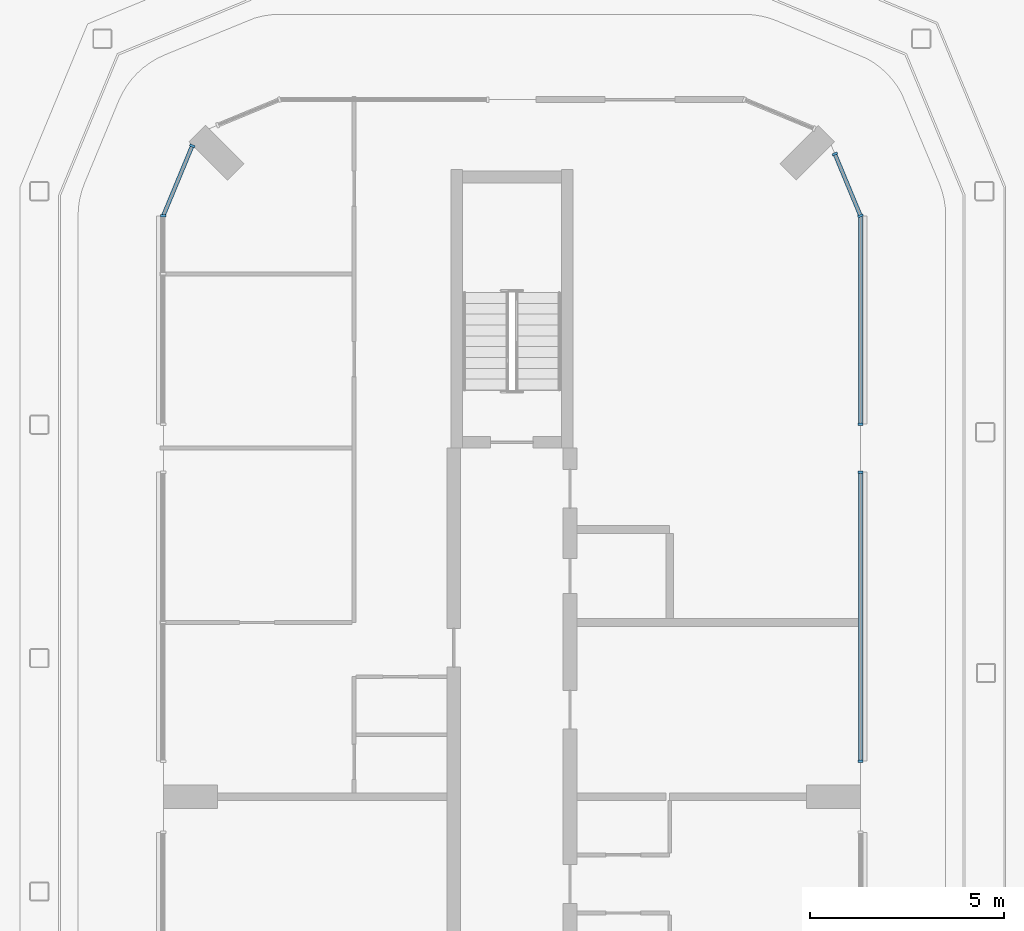
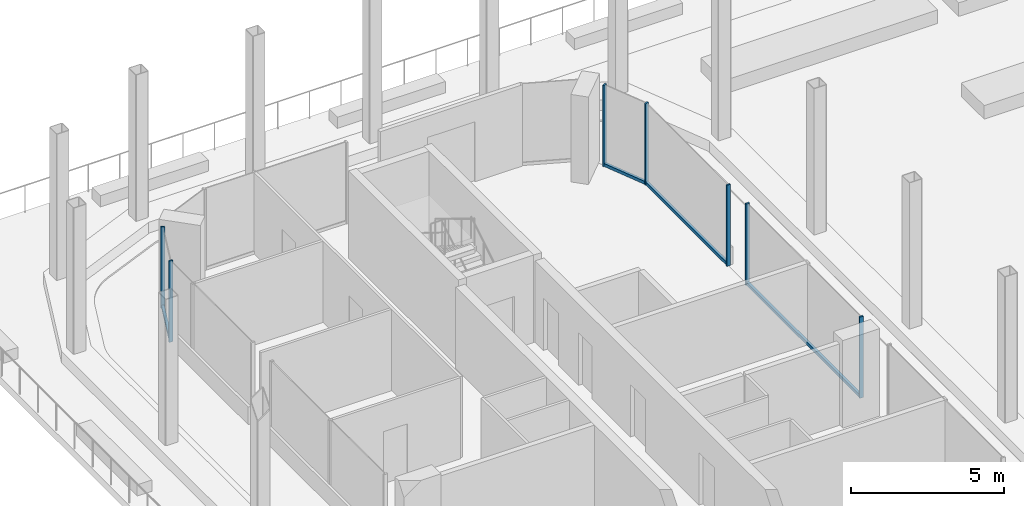
# One storey, part 12 of 33: 11 members, 5 elements without a shape of their own.
"""IFC4 building model written with IfcOpenShell, lengths in metres."""

from ifc_helpers import new_model, si_unit, direction, frame, origin, origin_2d, place, context, subcontext, project, spatial, rectangle, extrude, material, layer, layer_set, material_profile, profile_set, type_object, element, aggregate, save


model = new_model("IFC4")

# Units and contexts
model_context = context("Model", 3, precision=1e-05, world=origin(), true_north=direction((0.0, 1.0)))
body_context = subcontext(model_context, "Body", "Model", "MODEL_VIEW")
ifc_project = project(units=[si_unit("LENGTHUNIT", "METRE"), si_unit("AREAUNIT", "SQUARE_METRE"), si_unit("VOLUMEUNIT", "CUBIC_METRE"), si_unit("PLANEANGLEUNIT", "RADIAN"), si_unit("MASSUNIT", "GRAM", prefix="KILO")], contexts=[model_context])

# Site, building, storey
site_placement = place(None, origin())
site = spatial("IfcSite", under=ifc_project, at=site_placement, CompositionType="ELEMENT")
building_placement = place(site_placement, origin())
building = spatial("IfcBuilding", under=site, at=building_placement, Name="Plateau Cross Towers", CompositionType="ELEMENT")
storey_placement = place(building_placement, frame((0.0, 0.0, 26.800048828125)))
storey = spatial("IfcBuildingStorey", under=building, at=storey_placement, Name="L05", CompositionType="ELEMENT", Elevation=26.800048828125)

# Curtain wall, members
ifc_material_1 = material(Name="Dark low-iron glass", Category="glass")
ifc_layer = layer(ifc_material_1, 0.239990234375)
ifc_layer_set = layer_set([ifc_layer], Name="Dark low-iron glass")
curtain_wall_type = type_object("IfcCurtainWallType", Name="Curtain wall flush unitised CW-B", PredefinedType="NOTDEFINED", material=ifc_layer_set)
curtain_wall_1_placement = place(storey_placement, origin())
curtain_wall_1 = element("IfcCurtainWall", 1, at=curtain_wall_1_placement, inside=storey, type_object=curtain_wall_type, Name="ENV/A/L05/A180_369", PredefinedType="NOTDEFINED")
ifc_material_2 = material(Name="Black anodised aluminium", Category="aluminium")
ifc_material_profile_1 = material_profile(ifc_material_2, rectangle(XDim=0.06005859375, YDim=0.139892578125, at=origin_2d()), Name="MULLION 60x140")
ifc_profile_set_1 = profile_set([ifc_material_profile_1], Name="Black anodised aluminium")
member_type_1 = type_object("IfcMemberType", Name="Mullion 60x140 flush unitised", PredefinedType="MULLION", material=ifc_profile_set_1)
member_1_placement = place(storey_placement, frame((18.0, 36.919921875, 0.0), z_axis=(0.0, 0.0, 1.0), x_axis=(0.0, 1.0, 0.0)))
member_1 = element("IfcMember", 2, at=member_1_placement, type_object=member_type_1, Name="CW-B mullion 1", PredefinedType="MULLION", context=body_context, shape_type="SweptSolid", body=[
    extrude(rectangle(XDim=0.06005859375, YDim=0.139892578125, at=origin_2d()), origin(), (0.0, 0.0, 1.0), 3.25),
])
member_2_placement = place(storey_placement, frame((18.0, 44.3798828125, 0.0), z_axis=(0.0, 0.0, 1.0), x_axis=(0.0, 1.0, 0.0)))
member_2 = element("IfcMember", 3, at=member_2_placement, type_object=member_type_1, Name="CW-B mullion 2", PredefinedType="MULLION", context=body_context, shape_type="SweptSolid", body=[
    extrude(rectangle(XDim=0.06005859375, YDim=0.139892578125, at=origin_2d()), origin(), (0.0, 0.0, 1.0), 3.25),
])

# Curtain wall, member
curtain_wall_2_placement = place(storey_placement, origin())
curtain_wall_2 = element("IfcCurtainWall", 4, at=curtain_wall_2_placement, inside=storey, type_object=curtain_wall_type, Name="ENV/A/L05/A180_456", PredefinedType="NOTDEFINED")
member_3_placement = place(storey_placement, frame((18.0, 45.6201171875, 0.0), z_axis=(0.0, 0.0, 1.0), x_axis=(0.0, 1.0, 0.0)))
member_3 = element("IfcMember", 5, at=member_3_placement, type_object=member_type_1, Name="CW-B mullion 1", PredefinedType="MULLION", context=body_context, shape_type="SweptSolid", body=[
    extrude(rectangle(XDim=0.06005859375, YDim=0.139892578125, at=origin_2d()), origin(), (0.0, 0.0, 1.0), 3.25),
])

# Curtain wall, members
curtain_wall_3_placement = place(storey_placement, origin())
curtain_wall_3 = element("IfcCurtainWall", 6, at=curtain_wall_3_placement, inside=storey, type_object=curtain_wall_type, Name="ENV/A/L05/A180_510", PredefinedType="NOTDEFINED")
member_4_placement = place(storey_placement, frame((18.0, 51.0, 0.0), z_axis=(0.0, 0.0, 1.0), x_axis=(-0.382683612978, 0.923879457699, 0.0)))
member_4 = element("IfcMember", 7, at=member_4_placement, type_object=member_type_1, Name="CW-B mullion 1", PredefinedType="MULLION", context=body_context, shape_type="SweptSolid", body=[
    extrude(rectangle(XDim=0.06005859375, YDim=0.139892578125, at=origin_2d()), origin(), (0.0, 0.0, 1.0), 3.25),
])
member_5_placement = place(storey_placement, frame((17.338623046875, 52.5966796875, 0.0), z_axis=(0.0, 0.0, 1.0), x_axis=(-0.382683612978, 0.923879457699, 0.0)))
member_5 = element("IfcMember", 8, at=member_5_placement, type_object=member_type_1, Name="CW-B mullion 2", PredefinedType="MULLION", context=body_context, shape_type="SweptSolid", body=[
    extrude(rectangle(XDim=0.06005859375, YDim=0.139892578125, at=origin_2d()), origin(), (0.0, 0.0, 1.0), 3.25),
])

# Curtain wall, member
curtain_wall_4_placement = place(storey_placement, origin())
curtain_wall_4 = element("IfcCurtainWall", 9, at=curtain_wall_4_placement, inside=storey, type_object=curtain_wall_type, Name="ENV/A/L05/A7_528", PredefinedType="NOTDEFINED")
member_6_placement = place(storey_placement, frame((0.748046875, 52.805908203125, 0.0), z_axis=(0.0, 0.0, 1.0), x_axis=(-0.382683612978, -0.923879457699, 0.0)))
member_6 = element("IfcMember", 10, at=member_6_placement, type_object=member_type_1, Name="CW-B mullion 1", PredefinedType="MULLION", context=body_context, shape_type="SweptSolid", body=[
    extrude(rectangle(XDim=0.06005859375, YDim=0.139892578125, at=origin_2d()), origin(), (0.0, 0.0, 1.0), 3.25),
])

curtain_wall_5_placement = place(storey_placement, origin())
curtain_wall_5 = element("IfcCurtainWall", 11, at=curtain_wall_5_placement, inside=storey, type_object=curtain_wall_type, Name="ENV/A/L05/A0_510", PredefinedType="NOTDEFINED")
member_7_placement = place(storey_placement, frame((0.0, 51.0, 0.0), z_axis=(0.0, 0.0, 1.0), x_axis=(0.0, -1.0, 0.0)))
member_7 = element("IfcMember", 12, at=member_7_placement, type_object=member_type_1, Name="CW-B mullion 1", PredefinedType="MULLION", context=body_context, shape_type="SweptSolid", body=[
    extrude(rectangle(XDim=0.06005859375, YDim=0.139892578125, at=origin_2d()), origin(), (0.0, 0.0, 1.0), 3.25),
])
aggregate(curtain_wall_5, [member_7])

# Member
ifc_material_profile_2 = material_profile(ifc_material_2, rectangle(XDim=0.10009765625, YDim=0.1201171875, at=origin_2d()), Name="TRANSOM 100x120")
ifc_profile_set_2 = profile_set([ifc_material_profile_2], Name="Black anodised aluminium")
member_type_2 = type_object("IfcMemberType", Name="Transom 100x120 flush unitised", PredefinedType="USERDEFINED", material=ifc_profile_set_2)
member_8_placement = place(storey_placement, frame((18.0, 36.919921875, 0.06005859375), z_axis=(0.0, 1.0, 0.0), x_axis=(-1.0, 0.0, 0.0)))
member_8 = element("IfcMember", 13, at=member_8_placement, type_object=member_type_2, Name="CW-B transom", ObjectType="TRANSOM", PredefinedType="USERDEFINED", context=body_context, shape_type="SweptSolid", body=[
    extrude(rectangle(XDim=0.10009765625, YDim=0.1201171875, at=origin_2d()), origin(), (0.0, 0.0, 1.0), 7.4599609375),
])

aggregate(curtain_wall_1, [member_1, member_2, member_8])

member_9_placement = place(storey_placement, frame((18.0, 45.6201171875, 0.06005859375), z_axis=(0.0, 1.0, 0.0), x_axis=(-1.0, 0.0, 0.0)))
member_9 = element("IfcMember", 14, at=member_9_placement, type_object=member_type_2, Name="CW-B transom", ObjectType="TRANSOM", PredefinedType="USERDEFINED", context=body_context, shape_type="SweptSolid", body=[
    extrude(rectangle(XDim=0.10009765625, YDim=0.1201171875, at=origin_2d()), origin(), (0.0, 0.0, 1.0), 5.3798828125),
])

aggregate(curtain_wall_2, [member_3, member_9])

member_10_placement = place(storey_placement, frame((18.0, 51.0, 0.06005859375), z_axis=(-0.382688653628, 0.923877369776, 0.0), x_axis=(-0.923877369776, -0.382688653628, 0.0)))
member_10 = element("IfcMember", 15, at=member_10_placement, type_object=member_type_2, Name="CW-B transom", ObjectType="TRANSOM", PredefinedType="USERDEFINED", context=body_context, shape_type="SweptSolid", body=[
    extrude(rectangle(XDim=0.10009765625, YDim=0.1201171875, at=origin_2d()), origin(), (0.0, 0.0, 1.0), 1.728271484375),
])

aggregate(curtain_wall_3, [member_4, member_5, member_10])

member_11_placement = place(storey_placement, frame((0.748046875, 52.805908203125, 0.06005859375), z_axis=(-0.382690071798, -0.92387678234, 0.0), x_axis=(0.92387678234, -0.382690071798, 0.0)))
member_11 = element("IfcMember", 16, at=member_11_placement, type_object=member_type_2, Name="CW-B transom", ObjectType="TRANSOM", PredefinedType="USERDEFINED", context=body_context, shape_type="SweptSolid", body=[
    extrude(rectangle(XDim=0.10009765625, YDim=0.1201171875, at=origin_2d()), origin(), (0.0, 0.0, 1.0), 1.95458984375),
])

aggregate(curtain_wall_4, [member_6, member_11])

save(model, "model.ifc")
